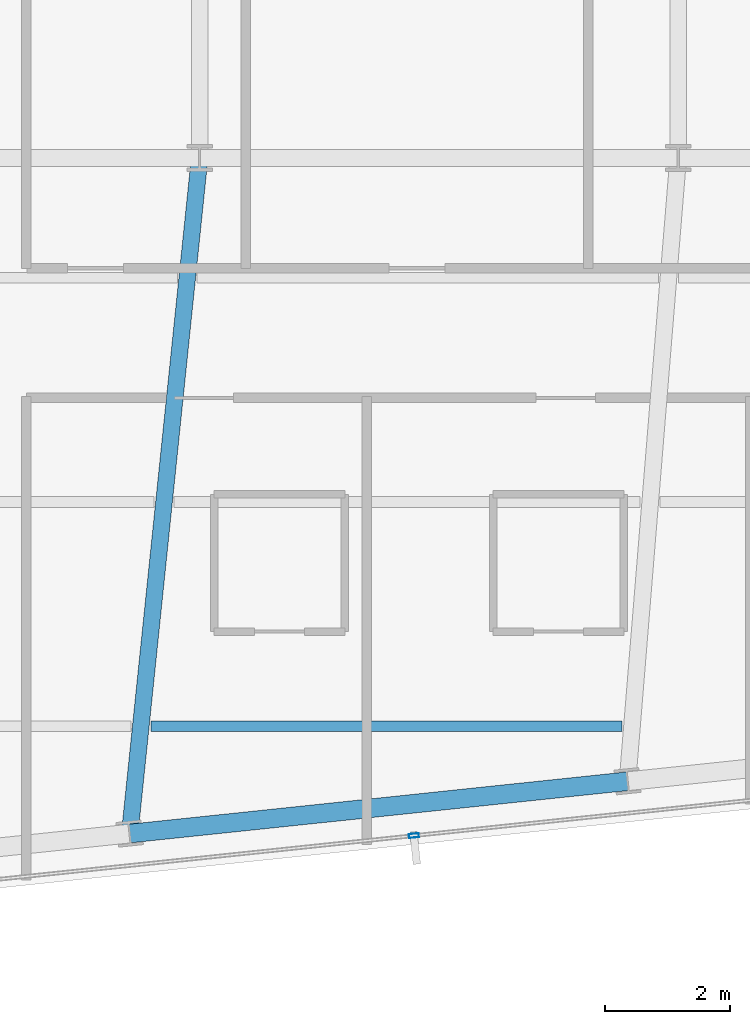
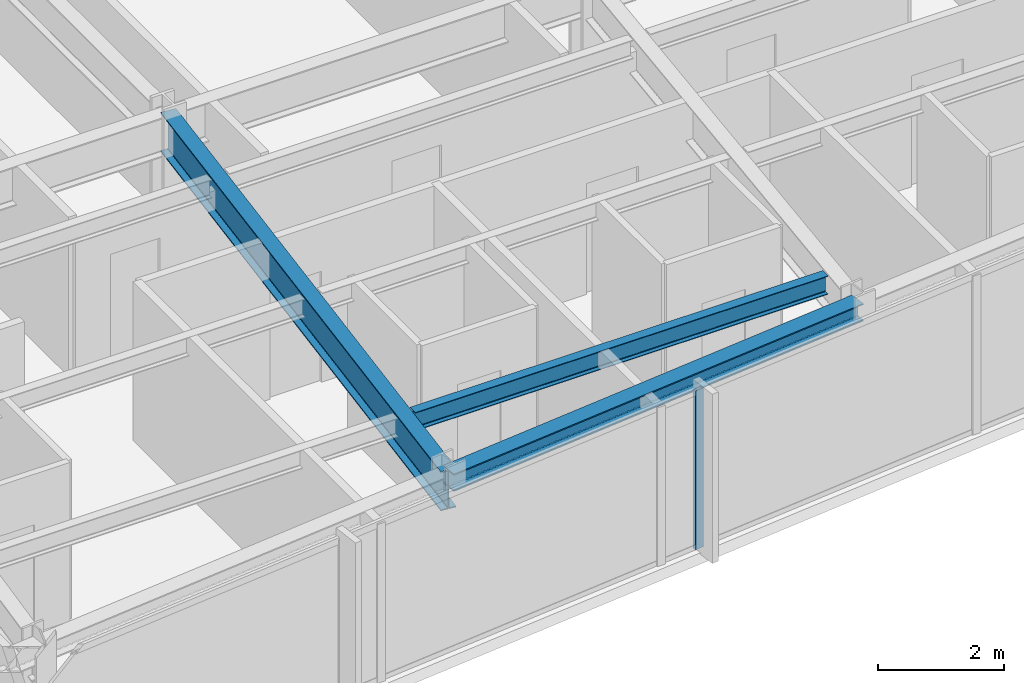
# One storey, part 8 of 33: 3 beams, 1 member, 1 element without a shape of its own.
"""IFC4 building model written with IfcOpenShell, lengths in metres."""

import ifcopenshell
import ifcopenshell.guid

model = None  # the IFC model being written
_history = None  # IfcOwnerHistory: only IFC2X3 demands one
_inside = {}  # id of a spatial element -> (the spatial element, [elements in it])
_under = {}  # id of a project, library or spatial element -> (it, [spatial elements below it])
_declared = {}  # id of a project -> (the project, [libraries it declares])
_typed = {}  # id of a type object -> (the type object, [elements of that type])
_made_of = {}  # id of a material, layer set ... -> (it, [elements and type objects made of it])


def new_model(schema):
    """Start an empty IFC model of exactly this schema.

    Asked for "IFC4X3", IfcOpenShell would pick the latest addendum, in which some entities
    have other attributes; the version numbers below select the first issue.
    IFC2X3 requires an IfcOwnerHistory on every rooted entity: one is made here for all.
    """
    global model, _history
    if schema == "IFC4X3":
        model = ifcopenshell.file(schema_version=(4, 3, 0, 0))
    else:
        model = ifcopenshell.file(schema=schema)
    _inside.clear()
    _under.clear()
    _declared.clear()
    _typed.clear()
    _made_of.clear()
    _history = None
    if model.schema == "IFC2X3":
        org = make("IfcOrganization", Name="unknown")
        user = make(
            "IfcPersonAndOrganization",
            ThePerson=make("IfcPerson", FamilyName="unknown"),
            TheOrganization=org,
        )
        app = make(
            "IfcApplication",
            ApplicationDeveloper=org,
            Version="unknown",
            ApplicationFullName="unknown",
            ApplicationIdentifier="unknown",
        )
        _history = make(
            "IfcOwnerHistory",
            OwningUser=user,
            OwningApplication=app,
            ChangeAction="ADDED",
            CreationDate=0,
        )
    return model


def make(cls, **values):
    """One entity of the class cls with the attributes given. An attribute that is None is left unset."""
    return model.create_entity(
        cls, **{name: value for name, value in values.items() if value is not None}
    )


def rooted(cls, **values):
    """An entity with a GlobalId (a new one), such as an element, a storey or a relation."""
    return make(cls, GlobalId=ifcopenshell.guid.new(), OwnerHistory=_history, **values)


def si_unit(unit_type, name, prefix=None):
    """IfcSIUnit, for example si_unit("LENGTHUNIT", "METRE", prefix="MILLI")."""
    return make("IfcSIUnit", UnitType=unit_type, Prefix=prefix, Name=name)


def assignment(units):
    """IfcUnitAssignment: the units of a project."""
    return None if units is None else make("IfcUnitAssignment", Units=units)


def point(xyz):
    """IfcCartesianPoint."""
    return None if xyz is None else make("IfcCartesianPoint", Coordinates=xyz)


def direction(xyz):
    """IfcDirection."""
    return None if xyz is None else make("IfcDirection", DirectionRatios=xyz)


def frame(location, z_axis=None, x_axis=None):
    """IfcAxis2Placement3D, a coordinate frame: its origin and axes. An axis left out is left unset."""
    return make(
        "IfcAxis2Placement3D",
        Location=point(location),
        Axis=direction(z_axis),
        RefDirection=direction(x_axis),
    )


def frame_2d(location, x_axis=None):
    """IfcAxis2Placement2D, a coordinate frame in the plane: its origin and x axis."""
    return make(
        "IfcAxis2Placement2D", Location=point(location), RefDirection=direction(x_axis)
    )


def origin():
    """The frame at (0, 0, 0) with its axes left unset."""
    return frame((0.0, 0.0, 0.0))


def origin_2d():
    """The frame at (0, 0) in the plane with its x axis left unset."""
    return frame_2d((0.0, 0.0))


def place(relative_to, where):
    """IfcLocalPlacement: puts the frame where relative to a parent placement (None: the world)."""
    return make(
        "IfcLocalPlacement", PlacementRelTo=relative_to, RelativePlacement=where
    )


def context(
    kind, dimensions, precision=None, world=None, true_north=None, identifier=None
):
    """IfcGeometricRepresentationContext, for example the 3D "Model" context."""
    return make(
        "IfcGeometricRepresentationContext",
        ContextIdentifier=identifier,
        ContextType=kind,
        CoordinateSpaceDimension=dimensions,
        Precision=precision,
        WorldCoordinateSystem=world,
        TrueNorth=true_north,
    )


def subcontext(parent, identifier, kind, view, scale=None):
    """IfcGeometricRepresentationSubContext, for example "Body" below "Model"."""
    return make(
        "IfcGeometricRepresentationSubContext",
        ContextIdentifier=identifier,
        ContextType=kind,
        ParentContext=parent,
        TargetScale=scale,
        TargetView=view,
    )


def project(units=None, contexts=None):
    """IfcProject with its units and contexts."""
    return rooted(
        "IfcProject",
        Name="project",
        RepresentationContexts=contexts,
        UnitsInContext=assignment(units),
    )


def spatial(cls, under=None, at=None, **own):
    """A site, building, storey or space (cls), placed at a placement, below another one or the project."""
    s = rooted(cls, ObjectPlacement=at, **own)
    if under is not None:
        _under.setdefault(under.id(), (under, []))[1].append(s)
    return s


def profile(cls, at=None, kind="AREA", **sizes):
    """A parametric profile (cls). Its sizes go by their IFC names, for example OverallWidth=200.0."""
    return make(cls, ProfileType=kind, Position=at, **sizes)


def hollow_rectangle(**sizes):
    """IfcRectangleHollowProfileDef."""
    return profile("IfcRectangleHollowProfileDef", **sizes)


def i_section(**sizes):
    """IfcIShapeProfileDef."""
    return profile("IfcIShapeProfileDef", **sizes)


def extrude(swept, where, along, depth):
    """IfcExtrudedAreaSolid: the profile swept, set in the frame where, extruded along a direction by depth."""
    return make(
        "IfcExtrudedAreaSolid",
        SweptArea=swept,
        Position=where,
        ExtrudedDirection=direction(along),
        Depth=depth,
    )


def shape(context_of_items, identifier, shape_type, items):
    """IfcShapeRepresentation: the items that make up one representation, for example the "Body"."""
    return make(
        "IfcShapeRepresentation",
        ContextOfItems=context_of_items,
        RepresentationIdentifier=identifier,
        RepresentationType=shape_type,
        Items=items,
    )


def material(Name=None, Category=None):
    """IfcMaterial."""
    return make("IfcMaterial", Name=Name, Category=Category)


def material_profile(
    of_material, cross_section, Name=None, Category=None, Priority=None
):
    """IfcMaterialProfile: a cross section and its material."""
    return make(
        "IfcMaterialProfile",
        Name=Name,
        Material=of_material,
        Profile=cross_section,
        Priority=Priority,
        Category=Category,
    )


def profile_set(profiles, Name=None, composite=None):
    """IfcMaterialProfileSet."""
    return make(
        "IfcMaterialProfileSet",
        Name=Name,
        MaterialProfiles=profiles,
        CompositeProfile=composite,
    )


def made_of(thing, what):
    """Note that an element or type object is made of a material, layer set ...; save() writes the relation."""
    if what is not None:
        _made_of.setdefault(what.id(), (what, []))[1].append(thing)
    return thing


def type_object(cls, material=None, **own):
    """A type object (cls), such as IfcWallType, which elements share."""
    return made_of(rooted(cls, **own), material)


def element(
    cls,
    number,
    at=None,
    inside=None,
    cuts=None,
    type_object=None,
    material=None,
    context=None,
    identifier="Body",
    shape_type=None,
    held_by="IfcProductDefinitionShape",
    body=None,
    shapes=None,
    **own,
):
    """One element of the class cls, such as IfcWall. Its Tag is "e" and its number.

    at: its placement. inside: the storey or other place that contains it. cuts: it is an
    opening in that element (IfcRelVoidsElement). A single representation is given by context,
    identifier, shape_type and body (its items); several are given by shapes. held_by: the class
    of the entity that holds the representations. save() writes the other relations.
    """
    e = rooted(cls, Tag="e%d" % number, ObjectPlacement=at, **own)
    if body is not None:
        shapes = [shape(context, identifier, shape_type, body)]
    if shapes is not None:
        e.Representation = make(held_by, Representations=shapes)
    if inside is not None:
        _inside.setdefault(inside.id(), (inside, []))[1].append(e)
    if cuts is not None:
        rooted(
            "IfcRelVoidsElement", RelatingBuildingElement=cuts, RelatedOpeningElement=e
        )
    if type_object is not None:
        _typed.setdefault(type_object.id(), (type_object, []))[1].append(e)
    return made_of(e, material)


def aggregate(whole, parts):
    """IfcRelAggregates: a whole, such as a stair, and the parts it consists of."""
    return rooted("IfcRelAggregates", RelatingObject=whole, RelatedObjects=parts)


def save(model, path):
    """Write the relations noted so far, then the file.

    IfcRelAggregates (storeys below a building ...), IfcRelContainedInSpatialStructure (elements
    in a storey), IfcRelDefinesByType, IfcRelAssociatesMaterial and IfcRelDeclares: one each for
    every whole, place, type object, material and project.
    """
    for whole, parts in _under.values():
        aggregate(whole, parts)
    for where, things in _inside.values():
        rooted(
            "IfcRelContainedInSpatialStructure",
            RelatedElements=things,
            RelatingStructure=where,
        )
    for kind, things in _typed.values():
        rooted("IfcRelDefinesByType", RelatedObjects=things, RelatingType=kind)
    for what, things in _made_of.values():
        rooted("IfcRelAssociatesMaterial", RelatedObjects=things, RelatingMaterial=what)
    for by, libraries in _declared.values():
        rooted("IfcRelDeclares", RelatingContext=by, RelatedDefinitions=libraries)
    model.write(path)


model = new_model("IFC4")

# Units and contexts
model_context = context("Model", 3, precision=1e-05, world=origin(), true_north=direction((0.0, 1.0)))
body_context = subcontext(model_context, "Body", "Model", "MODEL_VIEW")
ifc_project = project(units=[si_unit("LENGTHUNIT", "METRE"), si_unit("AREAUNIT", "SQUARE_METRE"), si_unit("VOLUMEUNIT", "CUBIC_METRE"), si_unit("PLANEANGLEUNIT", "RADIAN"), si_unit("MASSUNIT", "GRAM", prefix="KILO")], contexts=[model_context])

# Site, building, storey
site_placement = place(None, origin())
site = spatial("IfcSite", under=ifc_project, at=site_placement, CompositionType="ELEMENT")
building_placement = place(site_placement, origin())
building = spatial("IfcBuilding", under=site, at=building_placement, Name="Yelkora Congress Tower", CompositionType="ELEMENT")
storey_placement = place(building_placement, frame((0.0, 0.0, 230.89990234375)))
storey = spatial("IfcBuildingStorey", under=building, at=storey_placement, Name="L64", CompositionType="ELEMENT", Elevation=230.89990234375)

# Beams
ifc_material_1 = material(Name="Steel S355J2", Category="steel")
ifc_material_profile_1 = material_profile(ifc_material_1, i_section(OverallWidth=0.26708984375, OverallDepth=0.761962890625, WebThickness=0.014404296875, FlangeThickness=0.021484375, FilletRadius=0.01708984375, at=origin_2d()), Name="IPE 750x173")
ifc_profile_set_1 = profile_set([ifc_material_profile_1], Name="Steel S355J2")
beam_type_1 = type_object("IfcBeamType", Name="BM-GIRD-IPE750", PredefinedType="BEAM", material=ifc_profile_set_1)
beam_1_placement = place(storey_placement, frame((37.277587890625, 14.35791015625, 2.69921875), z_axis=(0.102964870035, 0.99468499312, 0.0), x_axis=(-0.99468499312, 0.102964870035, 0.0)))
element("IfcBeam", 1, at=beam_1_placement, inside=storey, type_object=beam_type_1, Name="L64 Primary Frame Girder S03", PredefinedType="BEAM", context=body_context, shape_type="SweptSolid", body=[
    extrude(i_section(OverallWidth=0.26708984375, OverallDepth=0.761962890625, WebThickness=0.014404296875, FlangeThickness=0.021484375, FilletRadius=0.01708984375, at=origin_2d()), origin(), (0.0, 0.0, 1.0), 10.89990234375),
])
ifc_material_profile_2 = material_profile(ifc_material_1, i_section(OverallWidth=0.169921875, OverallDepth=0.360107421875, WebThickness=0.008056640625, FlangeThickness=0.0126953125, FilletRadius=0.01806640625, at=origin_2d()), Name="IPE 360")
ifc_profile_set_2 = profile_set([ifc_material_profile_2], Name="Steel S355J2")
beam_type_2 = type_object("IfcBeamType", Name="BM-JOIST-IPE360", PredefinedType="JOIST", material=ifc_profile_set_2)
beam_2_placement = place(storey_placement, frame((37.61572265625, 16.07861328125, 2.900146484375), z_axis=(1.0, 0.0, 0.0), x_axis=(0.0, 1.0, 0.0)))
element("IfcBeam", 2, at=beam_2_placement, inside=storey, type_object=beam_type_2, Name="L64 Composite Floor Joist 2", PredefinedType="JOIST", context=body_context, shape_type="SweptSolid", body=[
    extrude(i_section(OverallWidth=0.169921875, OverallDepth=0.360107421875, WebThickness=0.008056640625, FlangeThickness=0.0126953125, FilletRadius=0.01806640625, at=origin_2d()), origin(), (0.0, 0.0, 1.0), 7.56298828125),
])
ifc_material_profile_3 = material_profile(ifc_material_1, i_section(OverallWidth=0.300048828125, OverallDepth=0.340087890625, WebThickness=0.011962890625, FlangeThickness=0.021484375, FilletRadius=0.027099609375, at=origin_2d()), Name="HEB 340")
ifc_profile_set_3 = profile_set([ifc_material_profile_3], Name="Steel S355J2")
beam_type_3 = type_object("IfcBeamType", Name="BM-SPAN-HEB340", PredefinedType="SPANDREL", material=ifc_profile_set_3)
beam_3_placement = place(storey_placement, frame((37.277587890625, 14.35791015625, 2.91015625), z_axis=(0.99452358891, 0.104512349038, 0.0), x_axis=(-0.104512349038, 0.99452358891, 0.0)))
element("IfcBeam", 3, at=beam_3_placement, inside=storey, type_object=beam_type_3, Name="L64 Perimeter Beam 5", PredefinedType="SPANDREL", context=body_context, shape_type="SweptSolid", body=[
    extrude(i_section(OverallWidth=0.300048828125, OverallDepth=0.340087890625, WebThickness=0.011962890625, FlangeThickness=0.021484375, FilletRadius=0.027099609375, at=origin_2d()), origin(), (0.0, 0.0, 1.0), 8.033447265625),
])

# Curtain wall, member
ifc_material_2 = material(Name="Anodised aluminium and insulated glass", Category="aluminium")
curtain_wall_type = type_object("IfcCurtainWallType", Name="CW-SYS-B4", PredefinedType="NOTDEFINED", material=ifc_material_2)
curtain_wall_placement = place(storey_placement, origin())
curtain_wall = element("IfcCurtainWall", 4, at=curtain_wall_placement, inside=storey, type_object=curtain_wall_type, Name="L64 Unitised Curtain Wall 20", PredefinedType="NOTDEFINED")
ifc_material_3 = material(Name="Anodised aluminium 6063-T6", Category="aluminium")
ifc_material_profile_4 = material_profile(ifc_material_3, hollow_rectangle(XDim=0.06494140625, YDim=0.159912109375, WallThickness=0.00390625, at=origin_2d()), Name="ALU 65x160x4")
ifc_profile_set_4 = profile_set([ifc_material_profile_4], Name="Anodised aluminium 6063-T6")
member_type = type_object("IfcMemberType", Name="MEM-ML-B4", PredefinedType="MULLION", material=ifc_profile_set_4)
member_placement = place(storey_placement, frame((41.838134765625, 14.324462890625, 0.0), z_axis=(0.0, 0.0, 1.0), x_axis=(0.104526664994, -0.994522084373, 0.0)))
member = element("IfcMember", 5, at=member_placement, type_object=member_type, Name="CW-B4 mullion 5", PredefinedType="MULLION", context=body_context, shape_type="SweptSolid", body=[
    extrude(hollow_rectangle(XDim=0.06494140625, YDim=0.159912109375, WallThickness=0.00390625, at=origin_2d()), origin(), (0.0, 0.0, 1.0), 3.080078125),
])
aggregate(curtain_wall, [member])

save(model, "model.ifc")
